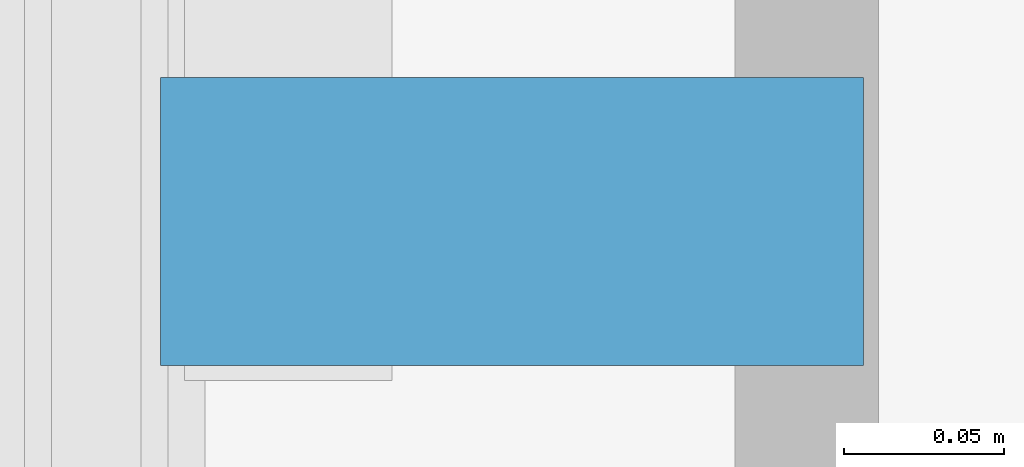
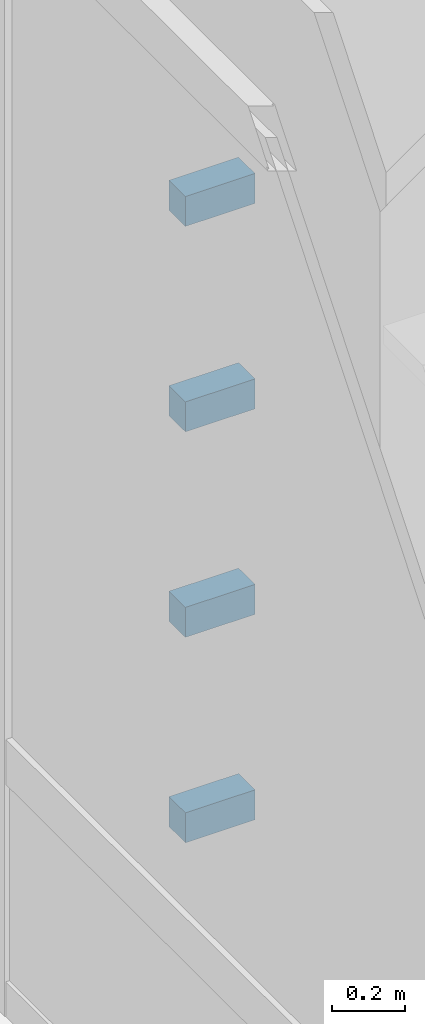
# One storey, part 30 of 35: 4 discrete accessories.
"""IFC4 building model written with IfcOpenShell, lengths in metres."""

from ifc_helpers import new_model, si_unit, direction, frame, origin, origin_2d, place, context, subcontext, project, spatial, rectangle, extrude, material, type_object, element, save


model = new_model("IFC4")

# Units and contexts
model_context = context("Model", 3, precision=1e-05, world=origin(), true_north=direction((0.0, 1.0)))
body_context = subcontext(model_context, "Body", "Model", "MODEL_VIEW")
ifc_project = project(units=[si_unit("LENGTHUNIT", "METRE"), si_unit("AREAUNIT", "SQUARE_METRE"), si_unit("VOLUMEUNIT", "CUBIC_METRE"), si_unit("PLANEANGLEUNIT", "RADIAN"), si_unit("MASSUNIT", "GRAM", prefix="KILO")], contexts=[model_context])

# Site, building, storey
site_placement = place(None, origin())
site = spatial("IfcSite", under=ifc_project, at=site_placement, CompositionType="ELEMENT")
building_placement = place(site_placement, origin())
building = spatial("IfcBuilding", under=site, at=building_placement, Name="Punatoya Terracotta Tower", CompositionType="ELEMENT")
storey_placement = place(building_placement, frame((0.0, 0.0, 68.699951171875)))
storey = spatial("IfcBuildingStorey", under=building, at=storey_placement, Name="L15", CompositionType="ELEMENT", Elevation=68.699951171875)

# Discrete accessories
ifc_material = material(Name="Steel S355", Category="steel")
discrete_accessory_type = type_object("IfcDiscreteAccessoryType", Name="ACC-BRK-220", PredefinedType="BRACKET", material=ifc_material)
for number, where, z_axis, x_axis, name in (
    (1, (-19.919921875, -3.35009765625, 1.10009765625), (0.0, 0.0, 1.0), (0.0, 1.0, 0.0), "L15 Baguette Louvre Column Bracket BAG-L15-W-01"),
    (2, (-19.919921875, -3.35009765625, 1.78662109375), (0.0, 0.0, 1.0), (0.0, 1.0, 0.0), "L15 Baguette Louvre Column Bracket BAG-L15-W-02"),
    (3, (-19.919921875, -3.35009765625, 2.473388671875), (0.0, 0.0, 1.0), (0.0, 1.0, 0.0), "L15 Baguette Louvre Column Bracket BAG-L15-W-03"),
    (4, (-19.919921875, -3.35009765625, 3.159912109375), (0.0, 0.0, 1.0), (0.0, 1.0, 0.0), "L15 Baguette Louvre Column Bracket BAG-L15-W-04"),
):
    element("IfcDiscreteAccessory", number, at=place(storey_placement, frame(where, z_axis=z_axis, x_axis=x_axis)), inside=storey, type_object=discrete_accessory_type, Name=name, PredefinedType="BRACKET", context=body_context, shape_type="SweptSolid", body=[
        extrude(rectangle(XDim=0.090087890625, YDim=0.219970703125, at=origin_2d()), origin(), (0.0, 0.0, 1.0), 0.10009765625),
    ])

save(model, "model.ifc")
